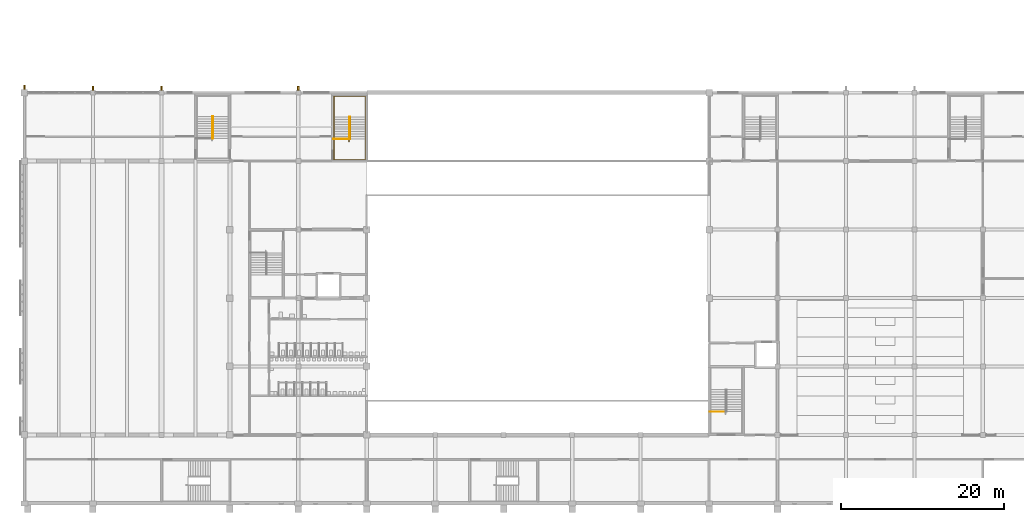
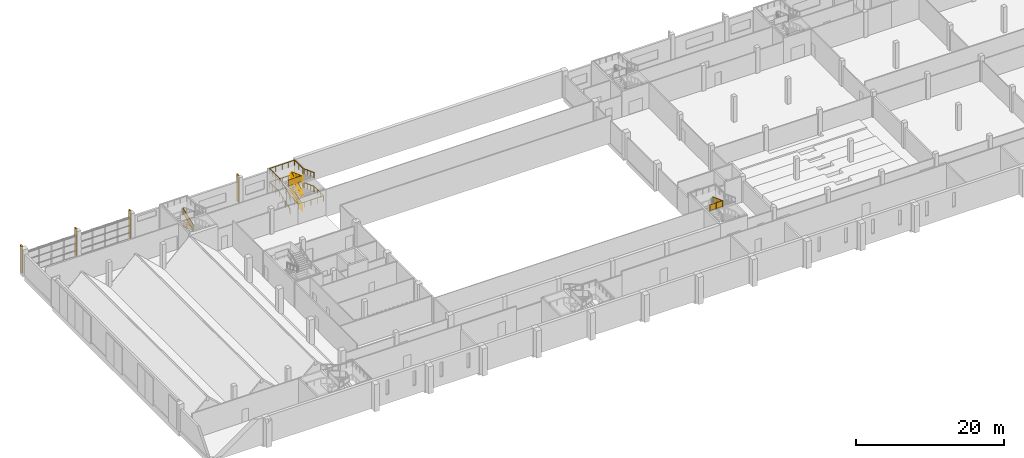
# One storey, part 47 of 56: 9 railings, 4 shading devices.
"""IFC4 building model written with IfcOpenShell, lengths in metres."""

from ifc_helpers import new_model, si_unit, direction, frame, origin, origin_2d, place, context, subcontext, project, spatial, polyline, rectangle, circle, outline, extrude, material, material_profile, profile_set, type_object, element, save


model = new_model("IFC4")

# Units and contexts
model_context = context("Model", 3, precision=1e-05, world=origin(), true_north=direction((0.0, 1.0)))
body_context = subcontext(model_context, "Body", "Model", "MODEL_VIEW")
ifc_project = project(units=[si_unit("LENGTHUNIT", "METRE"), si_unit("AREAUNIT", "SQUARE_METRE"), si_unit("VOLUMEUNIT", "CUBIC_METRE"), si_unit("PLANEANGLEUNIT", "RADIAN"), si_unit("MASSUNIT", "GRAM", prefix="KILO")], contexts=[model_context])

# Site, building, storey
site_placement = place(None, origin())
site = spatial("IfcSite", under=ifc_project, at=site_placement, CompositionType="ELEMENT")
building_placement = place(site_placement, origin())
building = spatial("IfcBuilding", under=site, at=building_placement, Name="Rulbaag Community and Learning Centre", CompositionType="ELEMENT")
storey_placement = place(building_placement, frame((0.0, 0.0, 9.89990234375)))
storey = spatial("IfcBuildingStorey", under=building, at=storey_placement, Name="L02", CompositionType="ELEMENT", Elevation=9.89990234375)

# Shading devices
ifc_material_1 = material(Name="Concrete M40", Category="concrete")
ifc_material_profile = material_profile(ifc_material_1, rectangle(XDim=0.199951171875, YDim=0.5, at=origin_2d()), Name="PC 200x500")
ifc_profile_set = profile_set([ifc_material_profile], Name="Concrete M40")
shading_device_type = type_object("IfcShadingDeviceType", Name="FIN-D", PredefinedType="JALOUSIE", material=ifc_profile_set)
for number, where, z_axis, x_axis, name in (
    (1, (0.0, 51.050048828125, -0.25), (0.0, 0.0, 1.0), (1.0, 0.0, 0.0), "Precast fin"),
    (2, (8.39990234375, 50.949951171875, -0.25), (0.0, 0.0, 1.0), (1.0, 0.0, 0.0), "Precast fin"),
    (3, (16.800048828125, 50.949951171875, -0.25), (0.0, 0.0, 1.0), (1.0, 0.0, 0.0), "Precast fin"),
    (4, (33.60009765625, 50.949951171875, -0.25), (0.0, 0.0, 1.0), (1.0, 0.0, 0.0), "Precast fin"),
):
    element("IfcShadingDevice", number, at=place(storey_placement, frame(where, z_axis=z_axis, x_axis=x_axis)), inside=storey, type_object=shading_device_type, Name=name, PredefinedType="JALOUSIE", context=body_context, shape_type="SweptSolid", body=[
        extrude(rectangle(XDim=0.199951171875, YDim=0.5, at=origin_2d()), origin(), (0.0, 0.0, 1.0), 4.4501953125),
    ])

# Railings
ifc_material_2 = material(Name="Galvanised mild steel", Category="steel")
railing_type_1 = type_object("IfcRailingType", Name="GR-1100 GUARD 1100", PredefinedType="GUARDRAIL", material=ifc_material_2)
railing_1_placement = place(storey_placement, frame((23.1201171875, 47.487548828125, 1.237548828125)))
element("IfcRailing", 5, at=railing_1_placement, inside=storey, type_object=railing_type_1, Name="Guard SH0 L02 G2", PredefinedType="GUARDRAIL", context=body_context, shape_type="SweptSolid", body=[
    extrude(circle(Radius=0.02490234375, at=origin_2d()), frame((0.0, 0.0, 1.0751953125), z_axis=(0.0, -0.93633265699, 0.351114162993), x_axis=(1.0, 0.0, 0.0)), (0.0, 0.0, 1.0), 2.883544921875),
    extrude(circle(Radius=0.02001953125, at=origin_2d()), origin(), (0.0, 0.0, 1.0), 1.050048828125),
    extrude(circle(Radius=0.02001953125, at=origin_2d()), frame((0.0, -0.89990234375, 0.33740234375)), (0.0, 0.0, 1.0), 1.050048828125),
    extrude(circle(Radius=0.02001953125, at=origin_2d()), frame((0.0, -1.800048828125, 0.675048828125)), (0.0, 0.0, 1.0), 1.050048828125),
    extrude(circle(Radius=0.02001953125, at=origin_2d()), frame((0.0, -2.699951171875, 1.012451171875)), (0.0, 0.0, 1.0), 1.050048828125),
    extrude(outline(polyline([(0.0, 0.0), (2.699951171875, 1.012451171875), (2.699951171875, 1.96240234375), (0.0, 0.949951171875), (0.0, 0.0)])), frame((0.0048828125, 0.0, 0.10009765625), z_axis=(-1.0, 0.0, 0.0), x_axis=(0.0, -1.0, 0.0)), (0.0, 0.0, 1.0), 0.010009765625),
])
railing_2_placement = place(storey_placement, frame((23.080078125, 44.78759765625, 2.362548828125)))
element("IfcRailing", 6, at=railing_2_placement, inside=storey, type_object=railing_type_1, Name="Guard SH0 L02 G3", PredefinedType="GUARDRAIL", context=body_context, shape_type="SweptSolid", body=[
    extrude(circle(Radius=0.02490234375, at=origin_2d()), frame((0.0, 0.0, 1.0751953125), z_axis=(0.0, 0.93633265699, 0.351114162993), x_axis=(-1.0, 0.0, 0.0)), (0.0, 0.0, 1.0), 2.883544921875),
    extrude(circle(Radius=0.02001953125, at=origin_2d()), origin(), (0.0, 0.0, 1.0), 1.050048828125),
    extrude(circle(Radius=0.02001953125, at=origin_2d()), frame((0.0, 0.89990234375, 0.33740234375)), (0.0, 0.0, 1.0), 1.050048828125),
    extrude(circle(Radius=0.02001953125, at=origin_2d()), frame((0.0, 1.800048828125, 0.675048828125)), (0.0, 0.0, 1.0), 1.050048828125),
    extrude(circle(Radius=0.02001953125, at=origin_2d()), frame((0.0, 2.699951171875, 1.012451171875)), (0.0, 0.0, 1.0), 1.050048828125),
    extrude(outline(polyline([(0.0, 0.0), (2.699951171875, 1.012451171875), (2.699951171875, 1.96240234375), (0.0, 0.949951171875), (0.0, 0.0)])), frame((-0.0048828125, 0.0, 0.10009765625), z_axis=(1.0, 0.0, 0.0), x_axis=(0.0, 1.0, 0.0)), (0.0, 0.0, 1.0), 0.010009765625),
])
railing_3_placement = place(storey_placement, frame((86.1201171875, 13.949951171875, 3.487548828125)))
element("IfcRailing", 7, at=railing_3_placement, inside=storey, type_object=railing_type_1, Name="Guard SH2 L02 G4", PredefinedType="GUARDRAIL", context=body_context, shape_type="SweptSolid", body=[
    extrude(circle(Radius=0.02490234375, at=origin_2d()), frame((0.0, 0.0, 1.0751953125), z_axis=(0.0, -0.93633265699, 0.351114162993), x_axis=(1.0, 0.0, 0.0)), (0.0, 0.0, 1.0), 2.883544921875),
    extrude(circle(Radius=0.02490234375, at=origin_2d()), frame((0.0, -2.699951171875, 2.08740234375), z_axis=(-1.0, 0.0, 0.0), x_axis=(0.0, -1.0, 0.0)), (0.0, 0.0, 1.0), 2.02001953125),
    extrude(circle(Radius=0.02001953125, at=origin_2d()), origin(), (0.0, 0.0, 1.0), 1.050048828125),
    extrude(circle(Radius=0.02001953125, at=origin_2d()), frame((0.0, -0.89990234375, 0.33740234375)), (0.0, 0.0, 1.0), 1.050048828125),
    extrude(circle(Radius=0.02001953125, at=origin_2d()), frame((0.0, -1.800048828125, 0.675048828125)), (0.0, 0.0, 1.0), 1.050048828125),
    extrude(circle(Radius=0.02001953125, at=origin_2d()), frame((0.0, -2.699951171875, 1.012451171875)), (0.0, 0.0, 1.0), 1.050048828125),
    extrude(circle(Radius=0.02001953125, at=origin_2d()), frame((-1.010009765625, -2.699951171875, 1.012451171875)), (0.0, 0.0, 1.0), 1.050048828125),
    extrude(circle(Radius=0.02001953125, at=origin_2d()), frame((-2.02001953125, -2.699951171875, 1.012451171875)), (0.0, 0.0, 1.0), 1.050048828125),
    extrude(outline(polyline([(0.0, 0.0), (2.699951171875, 1.012451171875), (2.699951171875, 1.96240234375), (0.0, 0.949951171875), (0.0, 0.0)])), frame((0.0048828125, 0.0, 0.10009765625), z_axis=(-1.0, 0.0, 0.0), x_axis=(0.0, -1.0, 0.0)), (0.0, 0.0, 1.0), 0.010009765625),
    extrude(outline(polyline([(0.0, 0.0), (2.02001953125, 0.0), (2.02001953125, 0.949951171875), (0.0, 0.949951171875), (0.0, 0.0)])), frame((0.0, -2.705078125, 1.112548828125), z_axis=(0.0, 1.0, 0.0), x_axis=(-1.0, 0.0, 0.0)), (0.0, 0.0, 1.0), 0.010009765625),
])
railing_4_placement = place(storey_placement, frame((39.8798828125, 44.71240234375, 0.112548828125)))
element("IfcRailing", 8, at=railing_4_placement, inside=storey, type_object=railing_type_1, Name="Guard SH5 L02 G", PredefinedType="GUARDRAIL", context=body_context, shape_type="SweptSolid", body=[
    extrude(circle(Radius=0.02490234375, at=origin_2d()), frame((0.0, 0.0, 1.0751953125), z_axis=(0.0, 0.936343093598, 0.351086329941), x_axis=(-1.0, 0.0, 0.0)), (0.0, 0.0, 1.0), 2.8837890625),
    extrude(circle(Radius=0.02001953125, at=origin_2d()), origin(), (0.0, 0.0, 1.0), 1.050048828125),
    extrude(circle(Radius=0.02001953125, at=origin_2d()), frame((0.0, 0.900146484375, 0.33740234375)), (0.0, 0.0, 1.0), 1.050048828125),
    extrude(circle(Radius=0.02001953125, at=origin_2d()), frame((0.0, 1.800048828125, 0.675048828125)), (0.0, 0.0, 1.0), 1.050048828125),
    extrude(circle(Radius=0.02001953125, at=origin_2d()), frame((0.0, 2.7001953125, 1.012451171875)), (0.0, 0.0, 1.0), 1.050048828125),
    extrude(outline(polyline([(0.0, 0.0), (2.7001953125, 1.012451171875), (2.7001953125, 1.96240234375), (0.0, 0.949951171875), (0.0, 0.0)])), frame((-0.0048828125, 0.0, 0.10009765625), z_axis=(1.0, 0.0, 0.0), x_axis=(0.0, 1.0, 0.0)), (0.0, 0.0, 1.0), 0.010009765625),
])
railing_5_placement = place(storey_placement, frame((39.919921875, 47.41259765625, 1.237548828125)))
element("IfcRailing", 9, at=railing_5_placement, inside=storey, type_object=railing_type_1, Name="Guard SH5 L02 G2", PredefinedType="GUARDRAIL", context=body_context, shape_type="SweptSolid", body=[
    extrude(circle(Radius=0.02490234375, at=origin_2d()), frame((0.0, 0.0, 1.0751953125), z_axis=(0.0, -0.936343093598, 0.351086329941), x_axis=(1.0, 0.0, 0.0)), (0.0, 0.0, 1.0), 2.8837890625),
    extrude(circle(Radius=0.02001953125, at=origin_2d()), origin(), (0.0, 0.0, 1.0), 1.050048828125),
    extrude(circle(Radius=0.02001953125, at=origin_2d()), frame((0.0, -0.900146484375, 0.33740234375)), (0.0, 0.0, 1.0), 1.050048828125),
    extrude(circle(Radius=0.02001953125, at=origin_2d()), frame((0.0, -1.800048828125, 0.675048828125)), (0.0, 0.0, 1.0), 1.050048828125),
    extrude(circle(Radius=0.02001953125, at=origin_2d()), frame((0.0, -2.7001953125, 1.012451171875)), (0.0, 0.0, 1.0), 1.050048828125),
    extrude(outline(polyline([(0.0, 0.0), (2.7001953125, 1.012451171875), (2.7001953125, 1.96240234375), (0.0, 0.949951171875), (0.0, 0.0)])), frame((0.0048828125, 0.0, 0.10009765625), z_axis=(-1.0, 0.0, 0.0), x_axis=(0.0, -1.0, 0.0)), (0.0, 0.0, 1.0), 0.010009765625),
])
railing_6_placement = place(storey_placement, frame((39.8798828125, 44.71240234375, 2.362548828125)))
element("IfcRailing", 10, at=railing_6_placement, inside=storey, type_object=railing_type_1, Name="Guard SH5 L02 G3", PredefinedType="GUARDRAIL", context=body_context, shape_type="SweptSolid", body=[
    extrude(circle(Radius=0.02490234375, at=origin_2d()), frame((0.0, 0.0, 1.0751953125), z_axis=(0.0, 0.936343093598, 0.351086329941), x_axis=(-1.0, 0.0, 0.0)), (0.0, 0.0, 1.0), 2.8837890625),
    extrude(circle(Radius=0.02001953125, at=origin_2d()), origin(), (0.0, 0.0, 1.0), 1.050048828125),
    extrude(circle(Radius=0.02001953125, at=origin_2d()), frame((0.0, 0.900146484375, 0.33740234375)), (0.0, 0.0, 1.0), 1.050048828125),
    extrude(circle(Radius=0.02001953125, at=origin_2d()), frame((0.0, 1.800048828125, 0.675048828125)), (0.0, 0.0, 1.0), 1.050048828125),
    extrude(circle(Radius=0.02001953125, at=origin_2d()), frame((0.0, 2.7001953125, 1.012451171875)), (0.0, 0.0, 1.0), 1.050048828125),
    extrude(outline(polyline([(0.0, 0.0), (2.7001953125, 1.012451171875), (2.7001953125, 1.96240234375), (0.0, 0.949951171875), (0.0, 0.0)])), frame((-0.0048828125, 0.0, 0.10009765625), z_axis=(1.0, 0.0, 0.0), x_axis=(0.0, 1.0, 0.0)), (0.0, 0.0, 1.0), 0.010009765625),
])
railing_7_placement = place(storey_placement, frame((39.919921875, 47.41259765625, 3.487548828125)))
element("IfcRailing", 11, at=railing_7_placement, inside=storey, type_object=railing_type_1, Name="Guard SH5 L02 G4", PredefinedType="GUARDRAIL", context=body_context, shape_type="SweptSolid", body=[
    extrude(circle(Radius=0.02490234375, at=origin_2d()), frame((0.0, 0.0, 1.0751953125), z_axis=(0.0, -0.936343093598, 0.351086329941), x_axis=(1.0, 0.0, 0.0)), (0.0, 0.0, 1.0), 2.8837890625),
    extrude(circle(Radius=0.02490234375, at=origin_2d()), frame((0.0, -2.7001953125, 2.08740234375), z_axis=(-1.0, 0.0, 0.0), x_axis=(0.0, -1.0, 0.0)), (0.0, 0.0, 1.0), 2.02001953125),
    extrude(circle(Radius=0.02001953125, at=origin_2d()), origin(), (0.0, 0.0, 1.0), 1.050048828125),
    extrude(circle(Radius=0.02001953125, at=origin_2d()), frame((0.0, -0.900146484375, 0.33740234375)), (0.0, 0.0, 1.0), 1.050048828125),
    extrude(circle(Radius=0.02001953125, at=origin_2d()), frame((0.0, -1.800048828125, 0.675048828125)), (0.0, 0.0, 1.0), 1.050048828125),
    extrude(circle(Radius=0.02001953125, at=origin_2d()), frame((0.0, -2.7001953125, 1.012451171875)), (0.0, 0.0, 1.0), 1.050048828125),
    extrude(circle(Radius=0.02001953125, at=origin_2d()), frame((-1.010009765625, -2.7001953125, 1.012451171875)), (0.0, 0.0, 1.0), 1.050048828125),
    extrude(circle(Radius=0.02001953125, at=origin_2d()), frame((-2.02001953125, -2.7001953125, 1.012451171875)), (0.0, 0.0, 1.0), 1.050048828125),
    extrude(outline(polyline([(0.0, 0.0), (2.7001953125, 1.012451171875), (2.7001953125, 1.96240234375), (0.0, 0.949951171875), (0.0, 0.0)])), frame((0.0048828125, 0.0, 0.10009765625), z_axis=(-1.0, 0.0, 0.0), x_axis=(0.0, -1.0, 0.0)), (0.0, 0.0, 1.0), 0.010009765625),
    extrude(outline(polyline([(0.0, 0.0), (2.02001953125, 0.0), (2.02001953125, 0.949951171875), (0.0, 0.949951171875), (0.0, 0.0)])), frame((0.0, -2.705078125, 1.112548828125), z_axis=(0.0, 1.0, 0.0), x_axis=(-1.0, 0.0, 0.0)), (0.0, 0.0, 1.0), 0.010009765625),
])
ifc_material_3 = material(Name="Stainless steel grade 316", Category="steel")
railing_type_2 = type_object("IfcRailingType", Name="HR-900 HANDRAIL 900", PredefinedType="HANDRAIL", material=ifc_material_3)
railing_8_placement = place(storey_placement, frame((37.9599609375, 44.41259765625, 0.0)))
element("IfcRailing", 12, at=railing_8_placement, inside=storey, type_object=railing_type_2, Name="Handrail SH5 L02 O", PredefinedType="HANDRAIL", context=body_context, shape_type="SweptSolid", body=[
    extrude(circle(Radius=0.024169921875, at=origin_2d()), frame((0.0, 0.0, 0.875732421875), z_axis=(0.0, 0.936203795034, 0.351457613608), x_axis=(-1.0, 0.0, 0.0)), (0.0, 0.0, 1.0), 0.3203125),
    extrude(circle(Radius=0.024169921875, at=origin_2d()), frame((0.0, 0.2998046875, 0.98828125), z_axis=(0.0, 0.936343093598, 0.351086329941), x_axis=(-1.0, 0.0, 0.0)), (0.0, 0.0, 1.0), 2.8837890625),
    extrude(circle(Radius=0.024169921875, at=origin_2d()), frame((0.0, 3.0, 2.000732421875), z_axis=(0.0, 1.0, 0.0), x_axis=(-1.0, 0.0, 0.0)), (0.0, 0.0, 1.0), 2.552490234375),
    extrude(circle(Radius=0.024169921875, at=origin_2d()), frame((0.0, 5.552490234375, 2.000732421875), z_axis=(1.0, 0.0, 0.0), x_axis=(0.0, 1.0, 0.0)), (0.0, 0.0, 1.0), 3.880126953125),
    extrude(circle(Radius=0.024169921875, at=origin_2d()), frame((3.880126953125, 5.552490234375, 2.000732421875), z_axis=(0.0, -1.0, 0.0), x_axis=(1.0, 0.0, 0.0)), (0.0, 0.0, 1.0), 2.252685546875),
    extrude(circle(Radius=0.024169921875, at=origin_2d()), frame((3.880126953125, 3.2998046875, 2.000732421875), z_axis=(0.0, -0.936203795034, 0.351457613608), x_axis=(1.0, 0.0, 0.0)), (0.0, 0.0, 1.0), 0.3203125),
    extrude(circle(Radius=0.024169921875, at=origin_2d()), frame((3.880126953125, 3.0, 2.11328125), z_axis=(0.0, -0.936343093598, 0.351086329941), x_axis=(1.0, 0.0, 0.0)), (0.0, 0.0, 1.0), 2.8837890625),
    extrude(circle(Radius=0.024169921875, at=origin_2d()), frame((3.880126953125, 0.2998046875, 3.125732421875), z_axis=(0.0, -1.0, 0.0), x_axis=(1.0, 0.0, 0.0)), (0.0, 0.0, 1.0), 2.552490234375),
    extrude(circle(Radius=0.024169921875, at=origin_2d()), frame((3.880126953125, -2.252685546875, 3.125732421875), z_axis=(-1.0, 0.0, 0.0), x_axis=(0.0, -1.0, 0.0)), (0.0, 0.0, 1.0), 3.880126953125),
    extrude(circle(Radius=0.024169921875, at=origin_2d()), frame((0.0, -2.252685546875, 3.125732421875), z_axis=(0.0, 1.0, 0.0), x_axis=(-1.0, 0.0, 0.0)), (0.0, 0.0, 1.0), 2.252685546875),
    extrude(circle(Radius=0.024169921875, at=origin_2d()), frame((0.0, 0.0, 3.125732421875), z_axis=(0.0, 0.936203795034, 0.351457613608), x_axis=(-1.0, 0.0, 0.0)), (0.0, 0.0, 1.0), 0.3203125),
    extrude(circle(Radius=0.024169921875, at=origin_2d()), frame((0.0, 0.2998046875, 3.23828125), z_axis=(0.0, 0.936343093598, 0.351086329941), x_axis=(-1.0, 0.0, 0.0)), (0.0, 0.0, 1.0), 2.8837890625),
    extrude(circle(Radius=0.024169921875, at=origin_2d()), frame((0.0, 3.0, 4.250732421875), z_axis=(0.0, 1.0, 0.0), x_axis=(-1.0, 0.0, 0.0)), (0.0, 0.0, 1.0), 2.552490234375),
    extrude(circle(Radius=0.024169921875, at=origin_2d()), frame((0.0, 5.552490234375, 4.250732421875), z_axis=(1.0, 0.0, 0.0), x_axis=(0.0, 1.0, 0.0)), (0.0, 0.0, 1.0), 3.880126953125),
    extrude(circle(Radius=0.024169921875, at=origin_2d()), frame((3.880126953125, 5.552490234375, 4.250732421875), z_axis=(0.0, -1.0, 0.0), x_axis=(1.0, 0.0, 0.0)), (0.0, 0.0, 1.0), 2.252685546875),
    extrude(circle(Radius=0.024169921875, at=origin_2d()), frame((3.880126953125, 3.2998046875, 4.250732421875), z_axis=(0.0, -0.936203795034, 0.351457613608), x_axis=(1.0, 0.0, 0.0)), (0.0, 0.0, 1.0), 0.3203125),
    extrude(circle(Radius=0.024169921875, at=origin_2d()), frame((3.880126953125, 3.0, 4.36328125), z_axis=(0.0, -0.936343093598, 0.351086329941), x_axis=(1.0, 0.0, 0.0)), (0.0, 0.0, 1.0), 2.8837890625),
    extrude(circle(Radius=0.008056640625, at=origin_2d()), origin(), (0.0, 0.0, 1.0), 0.8515625),
    extrude(circle(Radius=0.008056640625, at=origin_2d()), frame((0.0, 0.2998046875, 0.112548828125)), (0.0, 0.0, 1.0), 0.8515625),
    extrude(circle(Radius=0.008056640625, at=origin_2d()), frame((0.0, 1.199951171875, 0.449951171875)), (0.0, 0.0, 1.0), 0.8515625),
    extrude(circle(Radius=0.008056640625, at=origin_2d()), frame((0.0, 2.099853515625, 0.78759765625)), (0.0, 0.0, 1.0), 0.8515625),
    extrude(circle(Radius=0.008056640625, at=origin_2d()), frame((0.0, 3.0, 1.125)), (0.0, 0.0, 1.0), 0.8515625),
    extrude(circle(Radius=0.008056640625, at=origin_2d()), frame((0.0, 3.850830078125, 1.125)), (0.0, 0.0, 1.0), 0.8515625),
    extrude(circle(Radius=0.008056640625, at=origin_2d()), frame((0.0, 4.70166015625, 1.125)), (0.0, 0.0, 1.0), 0.8515625),
    extrude(circle(Radius=0.008056640625, at=origin_2d()), frame((0.0, 5.552490234375, 1.125)), (0.0, 0.0, 1.0), 0.8515625),
    extrude(circle(Radius=0.008056640625, at=origin_2d()), frame((0.969970703125, 5.552490234375, 1.125)), (0.0, 0.0, 1.0), 0.8515625),
    extrude(circle(Radius=0.008056640625, at=origin_2d()), frame((1.93994140625, 5.552490234375, 1.125)), (0.0, 0.0, 1.0), 0.8515625),
    extrude(circle(Radius=0.008056640625, at=origin_2d()), frame((2.91015625, 5.552490234375, 1.125)), (0.0, 0.0, 1.0), 0.8515625),
    extrude(circle(Radius=0.008056640625, at=origin_2d()), frame((3.880126953125, 5.552490234375, 1.125)), (0.0, 0.0, 1.0), 0.8515625),
    extrude(circle(Radius=0.008056640625, at=origin_2d()), frame((3.880126953125, 4.42626953125, 1.125)), (0.0, 0.0, 1.0), 0.8515625),
    extrude(circle(Radius=0.008056640625, at=origin_2d()), frame((3.880126953125, 3.2998046875, 1.125)), (0.0, 0.0, 1.0), 0.8515625),
    extrude(circle(Radius=0.008056640625, at=origin_2d()), frame((3.880126953125, 3.0, 1.237548828125)), (0.0, 0.0, 1.0), 0.8515625),
    extrude(circle(Radius=0.008056640625, at=origin_2d()), frame((3.880126953125, 2.099853515625, 1.574951171875)), (0.0, 0.0, 1.0), 0.8515625),
    extrude(circle(Radius=0.008056640625, at=origin_2d()), frame((3.880126953125, 1.199951171875, 1.91259765625)), (0.0, 0.0, 1.0), 0.8515625),
    extrude(circle(Radius=0.008056640625, at=origin_2d()), frame((3.880126953125, 0.2998046875, 2.25)), (0.0, 0.0, 1.0), 0.8515625),
    extrude(circle(Radius=0.008056640625, at=origin_2d()), frame((3.880126953125, -0.551025390625, 2.25)), (0.0, 0.0, 1.0), 0.8515625),
    extrude(circle(Radius=0.008056640625, at=origin_2d()), frame((3.880126953125, -1.40185546875, 2.25)), (0.0, 0.0, 1.0), 0.8515625),
    extrude(circle(Radius=0.008056640625, at=origin_2d()), frame((3.880126953125, -2.252685546875, 2.25)), (0.0, 0.0, 1.0), 0.8515625),
    extrude(circle(Radius=0.008056640625, at=origin_2d()), frame((2.91015625, -2.252685546875, 2.25)), (0.0, 0.0, 1.0), 0.8515625),
    extrude(circle(Radius=0.008056640625, at=origin_2d()), frame((1.93994140625, -2.252685546875, 2.25)), (0.0, 0.0, 1.0), 0.8515625),
    extrude(circle(Radius=0.008056640625, at=origin_2d()), frame((0.969970703125, -2.252685546875, 2.25)), (0.0, 0.0, 1.0), 0.8515625),
    extrude(circle(Radius=0.008056640625, at=origin_2d()), frame((0.0, -2.252685546875, 2.25)), (0.0, 0.0, 1.0), 0.8515625),
    extrude(circle(Radius=0.008056640625, at=origin_2d()), frame((0.0, -1.12646484375, 2.25)), (0.0, 0.0, 1.0), 0.8515625),
    extrude(circle(Radius=0.008056640625, at=origin_2d()), frame((0.0, 0.0, 2.25)), (0.0, 0.0, 1.0), 0.8515625),
    extrude(circle(Radius=0.008056640625, at=origin_2d()), frame((0.0, 0.2998046875, 2.362548828125)), (0.0, 0.0, 1.0), 0.8515625),
    extrude(circle(Radius=0.008056640625, at=origin_2d()), frame((0.0, 1.199951171875, 2.699951171875)), (0.0, 0.0, 1.0), 0.8515625),
    extrude(circle(Radius=0.008056640625, at=origin_2d()), frame((0.0, 2.099853515625, 3.03759765625)), (0.0, 0.0, 1.0), 0.8515625),
    extrude(circle(Radius=0.008056640625, at=origin_2d()), frame((0.0, 3.0, 3.375)), (0.0, 0.0, 1.0), 0.8515625),
    extrude(circle(Radius=0.008056640625, at=origin_2d()), frame((0.0, 3.850830078125, 3.375)), (0.0, 0.0, 1.0), 0.8515625),
    extrude(circle(Radius=0.008056640625, at=origin_2d()), frame((0.0, 4.70166015625, 3.375)), (0.0, 0.0, 1.0), 0.8515625),
    extrude(circle(Radius=0.008056640625, at=origin_2d()), frame((0.0, 5.552490234375, 3.375)), (0.0, 0.0, 1.0), 0.8515625),
    extrude(circle(Radius=0.008056640625, at=origin_2d()), frame((0.969970703125, 5.552490234375, 3.375)), (0.0, 0.0, 1.0), 0.8515625),
    extrude(circle(Radius=0.008056640625, at=origin_2d()), frame((1.93994140625, 5.552490234375, 3.375)), (0.0, 0.0, 1.0), 0.8515625),
    extrude(circle(Radius=0.008056640625, at=origin_2d()), frame((2.91015625, 5.552490234375, 3.375)), (0.0, 0.0, 1.0), 0.8515625),
    extrude(circle(Radius=0.008056640625, at=origin_2d()), frame((3.880126953125, 5.552490234375, 3.375)), (0.0, 0.0, 1.0), 0.8515625),
    extrude(circle(Radius=0.008056640625, at=origin_2d()), frame((3.880126953125, 4.42626953125, 3.375)), (0.0, 0.0, 1.0), 0.8515625),
    extrude(circle(Radius=0.008056640625, at=origin_2d()), frame((3.880126953125, 3.2998046875, 3.375)), (0.0, 0.0, 1.0), 0.8515625),
    extrude(circle(Radius=0.008056640625, at=origin_2d()), frame((3.880126953125, 3.0, 3.487548828125)), (0.0, 0.0, 1.0), 0.8515625),
    extrude(circle(Radius=0.008056640625, at=origin_2d()), frame((3.880126953125, 2.099853515625, 3.824951171875)), (0.0, 0.0, 1.0), 0.8515625),
    extrude(circle(Radius=0.008056640625, at=origin_2d()), frame((3.880126953125, 1.199951171875, 4.16259765625)), (0.0, 0.0, 1.0), 0.8515625),
    extrude(circle(Radius=0.008056640625, at=origin_2d()), frame((3.880126953125, 0.2998046875, 4.5)), (0.0, 0.0, 1.0), 0.8515625),
])
railing_9_placement = place(storey_placement, frame((39.81005859375, 44.41259765625, 0.0)))
element("IfcRailing", 13, at=railing_9_placement, inside=storey, type_object=railing_type_2, Name="Handrail SH5 L02 I", PredefinedType="HANDRAIL", context=body_context, shape_type="SweptSolid", body=[
    extrude(circle(Radius=0.024169921875, at=origin_2d()), frame((0.0, 0.0, 0.875732421875), z_axis=(0.0, 0.936203795034, 0.351457613608), x_axis=(-1.0, 0.0, 0.0)), (0.0, 0.0, 1.0), 0.3203125),
    extrude(circle(Radius=0.024169921875, at=origin_2d()), frame((0.0, 0.2998046875, 0.98828125), z_axis=(0.0, 0.936343093598, 0.351086329941), x_axis=(-1.0, 0.0, 0.0)), (0.0, 0.0, 1.0), 2.8837890625),
    extrude(circle(Radius=0.024169921875, at=origin_2d()), frame((0.0, 3.0, 2.000732421875), z_axis=(0.847804368873, 0.0, 0.530309109973), x_axis=(0.0, 1.0, 0.0)), (0.0, 0.0, 1.0), 0.212158203125),
    extrude(circle(Radius=0.024169921875, at=origin_2d()), frame((0.179931640625, 3.0, 2.11328125), z_axis=(0.0, -0.936343093598, 0.351086329941), x_axis=(1.0, 0.0, 0.0)), (0.0, 0.0, 1.0), 2.8837890625),
    extrude(circle(Radius=0.024169921875, at=origin_2d()), frame((0.179931640625, 0.2998046875, 3.125732421875), z_axis=(-0.847804368873, 0.0, 0.530309109973), x_axis=(0.0, -1.0, 0.0)), (0.0, 0.0, 1.0), 0.212158203125),
    extrude(circle(Radius=0.024169921875, at=origin_2d()), frame((0.0, 0.2998046875, 3.23828125), z_axis=(0.0, 0.936343093598, 0.351086329941), x_axis=(-1.0, 0.0, 0.0)), (0.0, 0.0, 1.0), 2.8837890625),
    extrude(circle(Radius=0.024169921875, at=origin_2d()), frame((0.0, 3.0, 4.250732421875), z_axis=(0.847804368873, 0.0, 0.530309109973), x_axis=(0.0, 1.0, 0.0)), (0.0, 0.0, 1.0), 0.212158203125),
    extrude(circle(Radius=0.024169921875, at=origin_2d()), frame((0.179931640625, 3.0, 4.36328125), z_axis=(0.0, -0.936343093598, 0.351086329941), x_axis=(1.0, 0.0, 0.0)), (0.0, 0.0, 1.0), 2.8837890625),
    extrude(circle(Radius=0.008056640625, at=origin_2d()), origin(), (0.0, 0.0, 1.0), 0.8515625),
    extrude(circle(Radius=0.008056640625, at=origin_2d()), frame((0.0, 0.2998046875, 0.112548828125)), (0.0, 0.0, 1.0), 0.8515625),
    extrude(circle(Radius=0.008056640625, at=origin_2d()), frame((0.0, 1.199951171875, 0.449951171875)), (0.0, 0.0, 1.0), 0.8515625),
    extrude(circle(Radius=0.008056640625, at=origin_2d()), frame((0.0, 2.099853515625, 0.78759765625)), (0.0, 0.0, 1.0), 0.8515625),
    extrude(circle(Radius=0.008056640625, at=origin_2d()), frame((0.0, 3.0, 1.125)), (0.0, 0.0, 1.0), 0.8515625),
    extrude(circle(Radius=0.008056640625, at=origin_2d()), frame((0.179931640625, 3.0, 1.237548828125)), (0.0, 0.0, 1.0), 0.8515625),
    extrude(circle(Radius=0.008056640625, at=origin_2d()), frame((0.179931640625, 2.099853515625, 1.574951171875)), (0.0, 0.0, 1.0), 0.8515625),
    extrude(circle(Radius=0.008056640625, at=origin_2d()), frame((0.179931640625, 1.199951171875, 1.91259765625)), (0.0, 0.0, 1.0), 0.8515625),
    extrude(circle(Radius=0.008056640625, at=origin_2d()), frame((0.179931640625, 0.2998046875, 2.25)), (0.0, 0.0, 1.0), 0.8515625),
    extrude(circle(Radius=0.008056640625, at=origin_2d()), frame((0.0, 0.2998046875, 2.362548828125)), (0.0, 0.0, 1.0), 0.8515625),
    extrude(circle(Radius=0.008056640625, at=origin_2d()), frame((0.0, 1.199951171875, 2.699951171875)), (0.0, 0.0, 1.0), 0.8515625),
    extrude(circle(Radius=0.008056640625, at=origin_2d()), frame((0.0, 2.099853515625, 3.03759765625)), (0.0, 0.0, 1.0), 0.8515625),
    extrude(circle(Radius=0.008056640625, at=origin_2d()), frame((0.0, 3.0, 3.375)), (0.0, 0.0, 1.0), 0.8515625),
    extrude(circle(Radius=0.008056640625, at=origin_2d()), frame((0.179931640625, 3.0, 3.487548828125)), (0.0, 0.0, 1.0), 0.8515625),
    extrude(circle(Radius=0.008056640625, at=origin_2d()), frame((0.179931640625, 2.099853515625, 3.824951171875)), (0.0, 0.0, 1.0), 0.8515625),
    extrude(circle(Radius=0.008056640625, at=origin_2d()), frame((0.179931640625, 1.199951171875, 4.16259765625)), (0.0, 0.0, 1.0), 0.8515625),
    extrude(circle(Radius=0.008056640625, at=origin_2d()), frame((0.179931640625, 0.2998046875, 4.5)), (0.0, 0.0, 1.0), 0.8515625),
])

save(model, "model.ifc")
